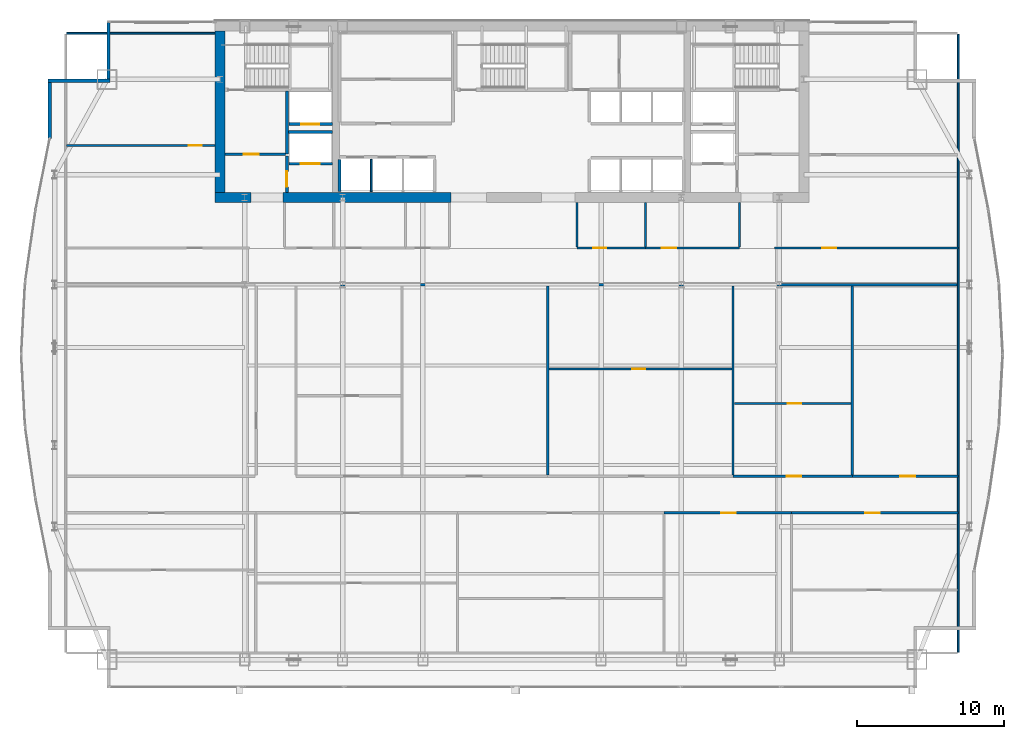
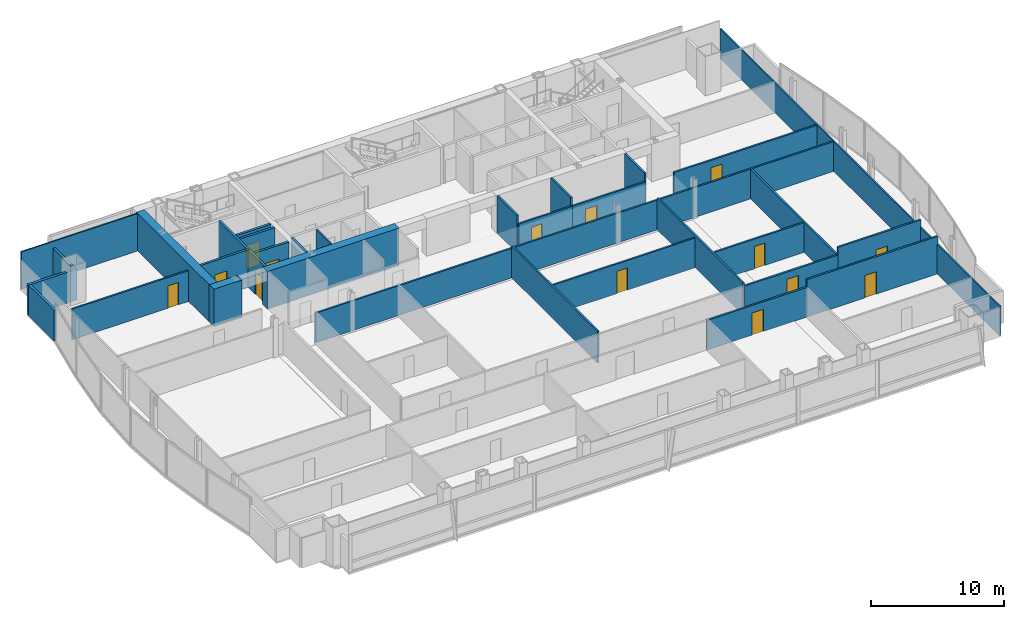
# One storey, part 25 of 29: 33 walls, 14 doors, 14 openings.
"""IFC4 building model written with IfcOpenShell, lengths in metres."""

from ifc_helpers import new_model, si_unit, direction, frame, frame_2d, origin, place, context, subcontext, project, spatial, rectangle, extrude, material, layer, layer_set, type_object, element, fill, save


model = new_model("IFC4")

# Units and contexts
model_context = context("Model", 3, precision=1e-05, world=origin(), true_north=direction((0.0, 1.0)))
body_context = subcontext(model_context, "Body", "Model", "MODEL_VIEW")
ifc_project = project(units=[si_unit("LENGTHUNIT", "METRE"), si_unit("AREAUNIT", "SQUARE_METRE"), si_unit("VOLUMEUNIT", "CUBIC_METRE"), si_unit("PLANEANGLEUNIT", "RADIAN"), si_unit("MASSUNIT", "GRAM", prefix="KILO")], contexts=[model_context])

# Site, building, storey
site_placement = place(None, origin())
site = spatial("IfcSite", under=ifc_project, at=site_placement, CompositionType="ELEMENT")
building_placement = place(site_placement, origin())
building = spatial("IfcBuilding", under=site, at=building_placement, Name="Khoronbel Lancet Exchange", CompositionType="ELEMENT")
storey_placement = place(building_placement, frame((0.0, 0.0, 154.199951171875)))
storey = spatial("IfcBuildingStorey", under=building, at=storey_placement, Name="L38", CompositionType="ELEMENT", Elevation=154.199951171875)

# Walls
ifc_material_1 = material(Name="Concrete C80/95", Category="concrete")
ifc_layer_1 = layer(ifc_material_1, 0.699951171875, Name="Concrete C80/95")
ifc_layer_set_1 = layer_set([ifc_layer_1], Name="Concrete C80/95")
wall_type_1 = type_object("IfcWallType", Name="WL-CW2", PredefinedType="SHEAR", material=ifc_layer_set_1)
wall_1_placement = place(storey_placement, frame((16.550048828125, 42.0, 0.0), z_axis=(0.0, 0.0, 1.0), x_axis=(0.0, 1.0, 0.0)))
element("IfcWall", 1, at=wall_1_placement, inside=storey, type_object=wall_type_1, Name="Level L38 rear core west shear wall", PredefinedType="SHEAR", context=body_context, shape_type="SweptSolid", body=[
    extrude(rectangle(XDim=11.0, YDim=0.699951171875, at=frame_2d((5.5, 0.0))), origin(), (0.0, 0.0, 1.0), 3.43994140625),
])
wall_2_placement = place(storey_placement, frame((18.64990234375, 41.64990234375, 0.0), z_axis=(0.0, 0.0, 1.0), x_axis=(-1.0, 0.0, 0.0)))
element("IfcWall", 2, at=wall_2_placement, inside=storey, type_object=wall_type_1, Name="Level L38 rear core south shear wall pier P1", PredefinedType="SHEAR", context=body_context, shape_type="SweptSolid", body=[
    extrude(rectangle(XDim=2.449951171875, YDim=0.699951171875, at=frame_2d((1.22509765625, 0.0))), origin(), (0.0, 0.0, 1.0), 3.43994140625),
])
wall_3_placement = place(storey_placement, frame((32.300048828125, 41.64990234375, 0.0), z_axis=(0.0, 0.0, 1.0), x_axis=(-1.0, 0.0, 0.0)))
element("IfcWall", 3, at=wall_3_placement, inside=storey, type_object=wall_type_1, Name="Level L38 rear core south shear wall pier P2", PredefinedType="SHEAR", context=body_context, shape_type="SweptSolid", body=[
    extrude(rectangle(XDim=11.449951171875, YDim=0.699951171875, at=frame_2d((5.72509765625, 0.0))), origin(), (0.0, 0.0, 1.0), 3.43994140625),
])
ifc_material_2 = material(Name="Precast concrete C40/50", Category="concrete")
ifc_layer_2 = layer(ifc_material_2, 0.25, Name="Precast concrete C40/50")
ifc_layer_set_2 = layer_set([ifc_layer_2], Name="Precast concrete C40/50")
wall_type_2 = type_object("IfcWallType", Name="WL-EXT250", PredefinedType="SOLIDWALL", material=ifc_layer_set_2)
wall_4_placement = place(storey_placement, frame((4.93994140625, 45.671142578125, 0.0), z_axis=(0.0, 0.0, 1.0), x_axis=(0.0, 1.0, 0.0)))
element("IfcWall", 4, at=wall_4_placement, inside=storey, type_object=wall_type_2, Name="Level L38 notched-corner limestone pier 10", PredefinedType="SOLIDWALL", context=body_context, shape_type="SweptSolid", body=[
    extrude(rectangle(XDim=3.828857421875, YDim=0.219970703125, at=frame_2d((1.91455078125, 0.0))), origin(), (0.0, 0.0, 1.0), 2.830078125),
])
wall_5_placement = place(storey_placement, frame((4.830078125, 49.610107421875, 0.0), z_axis=(0.0, 0.0, 1.0), x_axis=(1.0, 0.0, 0.0)))
element("IfcWall", 5, at=wall_5_placement, inside=storey, type_object=wall_type_2, Name="Level L38 notched-corner limestone pier 11", PredefinedType="SOLIDWALL", context=body_context, shape_type="SweptSolid", body=[
    extrude(rectangle(XDim=4.219970703125, YDim=0.219970703125, at=frame_2d((2.10986328125, 0.0))), origin(), (0.0, 0.0, 1.0), 2.830078125),
])
wall_6_placement = place(storey_placement, frame((8.93994140625, 49.719970703125, 0.0), z_axis=(0.0, 0.0, 1.0), x_axis=(0.0, 1.0, 0.0)))
element("IfcWall", 6, at=wall_6_placement, inside=storey, type_object=wall_type_2, Name="Level L38 notched-corner limestone pier 12", PredefinedType="SOLIDWALL", context=body_context, shape_type="SweptSolid", body=[
    extrude(rectangle(XDim=3.909912109375, YDim=0.219970703125, at=frame_2d((1.955078125, 0.0))), origin(), (0.0, 0.0, 1.0), 2.830078125),
])
ifc_material_3 = material(Name="Acoustic Metal-Stud & Mineral-Wool Gypsum Partition 120 mm", Category="gypsum")
ifc_layer_3 = layer(ifc_material_3, 0.1201171875, Name="Acoustic Metal-Stud & Mineral-Wool Gypsum Partition 120 mm")
ifc_layer_set_3 = layer_set([ifc_layer_3], Name="Acoustic Metal-Stud & Mineral-Wool Gypsum Partition 120 mm")
wall_type_3 = type_object("IfcWallType", Name="WL-PRT120", PredefinedType="PARTITIONING", material=ifc_layer_set_3)
for number, where, z_axis, x_axis, name in (
    (7, (40.8798828125, 38.280029296875, 0.0), (0.0, 0.0, 1.0), (0.0, 1.0, 0.0), "Level L38 interior partition PW-NP-0"),
    (8, (45.550048828125, 38.280029296875, 0.0), (0.0, 0.0, 1.0), (0.0, 1.0, 0.0), "Level L38 interior partition PW-NP-M"),
    (9, (51.949951171875, 38.280029296875, 0.0), (0.0, 0.0, 1.0), (0.0, 1.0, 0.0), "Level L38 interior partition PW-NP-1"),
):
    element("IfcWall", number, at=place(storey_placement, frame(where, z_axis=z_axis, x_axis=x_axis)), inside=storey, type_object=wall_type_3, Name=name, PredefinedType="PARTITIONING", context=body_context, shape_type="SweptSolid", body=[
        extrude(rectangle(XDim=3.02001953125, YDim=0.14990234375, at=frame_2d((1.510009765625, 0.0))), origin(), (0.0, 0.0, 1.0), 3.43994140625),
    ])

# Wall, opening, door
wall_7_placement = place(storey_placement, frame((6.094970703125, 45.199951171875, 0.0), z_axis=(0.0, 0.0, 1.0), x_axis=(1.0, 0.0, 0.0)))
wall_7 = element("IfcWall", 10, at=wall_7_placement, inside=storey, type_object=wall_type_3, Name="Level L38 interior partition PW-NW-H", PredefinedType="PARTITIONING", context=body_context, shape_type="SweptSolid", body=[
    extrude(rectangle(XDim=10.10498046875, YDim=0.14990234375, at=frame_2d((5.052490234375, 0.0))), origin(), (0.0, 0.0, 1.0), 2.830078125),
])
opening_1_placement = place(wall_7_placement, frame((8.320068359375, 0.0, 0.0)))
opening_1 = element("IfcOpeningElement", 11, at=opening_1_placement, cuts=wall_7, Name="Opening D5", PredefinedType="OPENING", context=body_context, shape_type="SweptSolid", body=[
    extrude(rectangle(XDim=0.89990234375, YDim=2.050048828125, at=frame_2d((0.449951171875, 1.02490234375))), frame((0.0, 0.0849609375, 0.0), z_axis=(0.0, -1.0, 0.0), x_axis=(1.0, 0.0, 0.0)), (0.0, 0.0, 1.0), 0.169921875),
])
ifc_material_4 = material(Name="Acoustic Timber Pantry & Support Door", Category="wood")
door_type_1 = type_object("IfcDoorType", Name="DR-D5", OperationType="NOTDEFINED", PredefinedType="DOOR", material=ifc_material_4)
door_1_placement = place(opening_1_placement, origin())
door_1 = element("IfcDoor", 12, at=door_1_placement, inside=storey, type_object=door_type_1, Name="NW north room door L38-1", OperationType="SINGLE_SWING_RIGHT", OverallHeight=2.050048828125, OverallWidth=0.89990234375, PredefinedType="DOOR", context=body_context, shape_type="SweptSolid", body=[
    extrude(rectangle(XDim=0.89990234375, YDim=2.050048828125, at=frame_2d((0.449951171875, 1.02490234375))), frame((0.0, 0.02490234375, 0.0), z_axis=(0.0, -1.0, 0.0), x_axis=(1.0, 0.0, 0.0)), (0.0, 0.0, 1.0), 0.050048828125),
])
fill(opening_1, door_1)

wall_8_placement = place(storey_placement, frame((38.963134765625, 29.9580078125, 0.0), z_axis=(0.0, 0.0, 1.0), x_axis=(1.0, 0.0, 0.0)))
wall_8 = element("IfcWall", 13, at=wall_8_placement, inside=storey, type_object=wall_type_3, Name="Level L38 interior partition PW-Z2N-H3", PredefinedType="PARTITIONING", context=body_context, shape_type="SweptSolid", body=[
    extrude(rectangle(XDim=12.479248046875, YDim=0.14990234375, at=frame_2d((6.23974609375, 0.0))), origin(), (0.0, 0.0, 1.0), 2.72998046875),
])
opening_2_placement = place(wall_8_placement, frame((5.6875, 0.0, 0.0)))
opening_2 = element("IfcOpeningElement", 14, at=opening_2_placement, cuts=wall_8, Name="Opening D5", PredefinedType="OPENING", context=body_context, shape_type="SweptSolid", body=[
    extrude(rectangle(XDim=0.89990234375, YDim=2.050048828125, at=frame_2d((0.449951171875, 1.02490234375))), frame((0.0, 0.0849609375, 0.0), z_axis=(0.0, -1.0, 0.0), x_axis=(1.0, 0.0, 0.0)), (0.0, 0.0, 1.0), 0.169921875),
])
door_2_placement = place(opening_2_placement, origin())
door_2 = element("IfcDoor", 15, at=door_2_placement, inside=storey, type_object=door_type_1, Name="Z2N inner door 3 L38-1", OperationType="SINGLE_SWING_LEFT", OverallHeight=2.050048828125, OverallWidth=0.89990234375, PredefinedType="DOOR", context=body_context, shape_type="SweptSolid", body=[
    extrude(rectangle(XDim=0.89990234375, YDim=2.050048828125, at=frame_2d((0.449951171875, 1.02490234375))), frame((0.0, 0.02490234375, 0.0), z_axis=(0.0, -1.0, 0.0), x_axis=(1.0, 0.0, 0.0)), (0.0, 0.0, 1.0), 0.050048828125),
])
fill(opening_2, door_2)

wall_9_placement = place(storey_placement, frame((51.602294921875, 27.60888671875, 0.0), z_axis=(0.0, 0.0, 1.0), x_axis=(1.0, 0.0, 0.0)))
wall_9 = element("IfcWall", 16, at=wall_9_placement, inside=storey, type_object=wall_type_3, Name="Level L38 interior partition PW-Z2N-H4", PredefinedType="PARTITIONING", context=body_context, shape_type="SweptSolid", body=[
    extrude(rectangle(XDim=7.96533203125, YDim=0.14990234375, at=frame_2d((3.982666015625, 0.0))), origin(), (0.0, 0.0, 1.0), 2.72998046875),
])
opening_3_placement = place(wall_9_placement, frame((3.65625, 0.0, 0.0)))
opening_3 = element("IfcOpeningElement", 17, at=opening_3_placement, cuts=wall_9, Name="Opening D5", PredefinedType="OPENING", context=body_context, shape_type="SweptSolid", body=[
    extrude(rectangle(XDim=0.89990234375, YDim=2.050048828125, at=frame_2d((0.449951171875, 1.02490234375))), frame((0.0, 0.0849609375, 0.0), z_axis=(0.0, -1.0, 0.0), x_axis=(1.0, 0.0, 0.0)), (0.0, 0.0, 1.0), 0.169921875),
])
door_3_placement = place(opening_3_placement, origin())
door_3 = element("IfcDoor", 18, at=door_3_placement, inside=storey, type_object=door_type_1, Name="Z2N inner door 4 L38-1", OperationType="SINGLE_SWING_LEFT", OverallHeight=2.050048828125, OverallWidth=0.89990234375, PredefinedType="DOOR", context=body_context, shape_type="SweptSolid", body=[
    extrude(rectangle(XDim=0.89990234375, YDim=2.050048828125, at=frame_2d((0.449951171875, 1.02490234375))), frame((0.0, 0.02490234375, 0.0), z_axis=(0.0, -1.0, 0.0), x_axis=(1.0, 0.0, 0.0)), (0.0, 0.0, 1.0), 0.050048828125),
])
fill(opening_3, door_3)

# Walls
wall_10_placement = place(storey_placement, frame((66.8701171875, 10.6650390625, 0.0), z_axis=(0.0, 0.0, 1.0), x_axis=(0.0, 1.0, 0.0)))
element("IfcWall", 19, at=wall_10_placement, inside=storey, type_object=wall_type_3, Name="Level L38 interior partition PW-LIN-E", PredefinedType="PARTITIONING", context=body_context, shape_type="SweptSolid", body=[
    extrude(rectangle(XDim=42.10986328125, YDim=0.1201171875, at=frame_2d((21.054931640625, 0.0))), origin(), (0.0, 0.0, 1.0), 2.72998046875),
])
wall_11_placement = place(storey_placement, frame((6.094970703125, 52.840087890625, 0.0), z_axis=(0.0, 0.0, 1.0), x_axis=(1.0, 0.0, 0.0)))
element("IfcWall", 20, at=wall_11_placement, inside=storey, type_object=wall_type_3, Name="Level L38 interior partition PW-LIN-NW", PredefinedType="PARTITIONING", context=body_context, shape_type="SweptSolid", body=[
    extrude(rectangle(XDim=10.10498046875, YDim=0.1201171875, at=frame_2d((5.052490234375, 0.0))), origin(), (0.0, 0.0, 1.0), 3.43994140625),
])
ifc_material_5 = material(Name="Fire-Rated Metal-Stud & Mineral-Wool Gypsum Partition 120 mm", Category="gypsum")
ifc_layer_4 = layer(ifc_material_5, 0.1201171875, Name="Fire-Rated Metal-Stud & Mineral-Wool Gypsum Partition 120 mm")
ifc_layer_set_4 = layer_set([ifc_layer_4], Name="Fire-Rated Metal-Stud & Mineral-Wool Gypsum Partition 120 mm")
wall_type_4 = type_object("IfcWallType", Name="WL-PRT120F", PredefinedType="PARTITIONING", material=ifc_layer_set_4)
wall_12_placement = place(storey_placement, frame((26.860107421875, 42.050048828125, 0.0), z_axis=(0.0, 0.0, 1.0), x_axis=(0.0, 1.0, 0.0)))
element("IfcWall", 21, at=wall_12_placement, inside=storey, type_object=wall_type_4, Name="Level L38 interior partition CW-PM-D1", PredefinedType="PARTITIONING", context=body_context, shape_type="SweptSolid", body=[
    extrude(rectangle(XDim=2.199951171875, YDim=0.1201171875, at=frame_2d((1.10009765625, 0.0))), origin(), (0.0, 0.0, 1.0), 3.43994140625),
])

# Wall, opening, door
ifc_material_6 = material(Name="Fire-Rated Twin-Stud Acoustic Gypsum Partition 150 mm", Category="gypsum")
ifc_layer_5 = layer(ifc_material_6, 0.14990234375, Name="Fire-Rated Twin-Stud Acoustic Gypsum Partition 150 mm")
ifc_layer_set_5 = layer_set([ifc_layer_5], Name="Fire-Rated Twin-Stud Acoustic Gypsum Partition 150 mm")
wall_type_5 = type_object("IfcWallType", Name="WL-PRT150C", PredefinedType="PARTITIONING", material=ifc_layer_set_5)
wall_13_placement = place(storey_placement, frame((40.8798828125, 38.199951171875, 0.0), z_axis=(0.0, 0.0, 1.0), x_axis=(1.0, 0.0, 0.0)))
wall_13 = element("IfcWall", 22, at=wall_13_placement, inside=storey, type_object=wall_type_5, Name="Level L38 interior partition PW-NP-S1", PredefinedType="PARTITIONING", context=body_context, shape_type="SweptSolid", body=[
    extrude(rectangle(XDim=4.670166015625, YDim=0.14990234375, at=frame_2d((2.3349609375, 0.0))), origin(), (0.0, 0.0, 1.0), 2.72998046875),
])
opening_4_placement = place(wall_13_placement, frame((1.10009765625, 0.0, 0.0)))
opening_4 = element("IfcOpeningElement", 23, at=opening_4_placement, cuts=wall_13, Name="Opening D5", PredefinedType="OPENING", context=body_context, shape_type="SweptSolid", body=[
    extrude(rectangle(XDim=0.89990234375, YDim=2.050048828125, at=frame_2d((0.449951171875, 1.02490234375))), frame((0.0, 0.0849609375, 0.0), z_axis=(0.0, -1.0, 0.0), x_axis=(1.0, 0.0, 0.0)), (0.0, 0.0, 1.0), 0.169921875),
])
door_4_placement = place(opening_4_placement, origin())
door_4 = element("IfcDoor", 24, at=door_4_placement, inside=storey, type_object=door_type_1, Name="Floor refreshment pantry door L38-1", OperationType="SINGLE_SWING_RIGHT", OverallHeight=2.050048828125, OverallWidth=0.89990234375, PredefinedType="DOOR", context=body_context, shape_type="SweptSolid", body=[
    extrude(rectangle(XDim=0.89990234375, YDim=2.050048828125, at=frame_2d((0.449951171875, 1.02490234375))), frame((0.0, 0.02490234375, 0.0), z_axis=(0.0, -1.0, 0.0), x_axis=(1.0, 0.0, 0.0)), (0.0, 0.0, 1.0), 0.050048828125),
])
fill(opening_4, door_4)

wall_14_placement = place(storey_placement, frame((45.550048828125, 38.199951171875, 0.0), z_axis=(0.0, 0.0, 1.0), x_axis=(1.0, 0.0, 0.0)))
wall_14 = element("IfcWall", 25, at=wall_14_placement, inside=storey, type_object=wall_type_5, Name="Level L38 interior partition PW-NP-S2", PredefinedType="PARTITIONING", context=body_context, shape_type="SweptSolid", body=[
    extrude(rectangle(XDim=6.39990234375, YDim=0.14990234375, at=frame_2d((3.199951171875, 0.0))), origin(), (0.0, 0.0, 1.0), 2.72998046875),
])
opening_5_placement = place(wall_14_placement, frame((1.10009765625, 0.0, 0.0)))
opening_5 = element("IfcOpeningElement", 26, at=opening_5_placement, cuts=wall_14, Name="Opening D2", PredefinedType="OPENING", context=body_context, shape_type="SweptSolid", body=[
    extrude(rectangle(XDim=1.0, YDim=2.050048828125, at=frame_2d((0.5, 1.02490234375))), frame((0.0, 0.0849609375, 0.0), z_axis=(0.0, -1.0, 0.0), x_axis=(1.0, 0.0, 0.0)), (0.0, 0.0, 1.0), 0.169921875),
])
ifc_material_7 = material(Name="Acoustic Veneered Timber & Bronze Frame Door", Category="wood")
door_type_2 = type_object("IfcDoorType", Name="DR-D2", OperationType="NOTDEFINED", PredefinedType="DOOR", material=ifc_material_7)
door_5_placement = place(opening_5_placement, origin())
door_5 = element("IfcDoor", 27, at=door_5_placement, inside=storey, type_object=door_type_2, Name="Floor store door L38-1", OperationType="SINGLE_SWING_LEFT", OverallHeight=2.050048828125, OverallWidth=1.0, PredefinedType="DOOR", context=body_context, shape_type="SweptSolid", body=[
    extrude(rectangle(XDim=1.0, YDim=2.050048828125, at=frame_2d((0.5, 1.02490234375))), frame((0.0, 0.02490234375, 0.0), z_axis=(0.0, -1.0, 0.0), x_axis=(1.0, 0.0, 0.0)), (0.0, 0.0, 1.0), 0.050048828125),
])
fill(opening_5, door_5)

wall_15_placement = place(storey_placement, frame((54.35009765625, 38.199951171875, 0.0), z_axis=(0.0, 0.0, 1.0), x_axis=(1.0, 0.0, 0.0)))
wall_15 = element("IfcWall", 28, at=wall_15_placement, inside=storey, type_object=wall_type_5, Name="Level L38 interior partition PW-NE-S", PredefinedType="PARTITIONING", context=body_context, shape_type="SweptSolid", body=[
    extrude(rectangle(XDim=12.52001953125, YDim=0.14990234375, at=frame_2d((6.260009765625, 0.0))), origin(), (0.0, 0.0, 1.0), 2.72998046875),
])
opening_6_placement = place(wall_15_placement, frame((3.25, 0.0, 0.0)))
opening_6 = element("IfcOpeningElement", 29, at=opening_6_placement, cuts=wall_15, Name="Opening D1", PredefinedType="OPENING", context=body_context, shape_type="SweptSolid", body=[
    extrude(rectangle(XDim=0.949951171875, YDim=2.050048828125, at=frame_2d((0.47509765625, 1.02490234375))), frame((0.0, 0.0849609375, 0.0), z_axis=(0.0, -1.0, 0.0), x_axis=(1.0, 0.0, 0.0)), (0.0, 0.0, 1.0), 0.169921875),
])
door_type_3 = type_object("IfcDoorType", Name="DR-D1", OperationType="NOTDEFINED", PredefinedType="DOOR", material=ifc_material_7)
door_6_placement = place(opening_6_placement, origin())
door_6 = element("IfcDoor", 30, at=door_6_placement, inside=storey, type_object=door_type_3, Name="NE corner room door L38-1", OperationType="SINGLE_SWING_LEFT", OverallHeight=2.050048828125, OverallWidth=0.949951171875, PredefinedType="DOOR", context=body_context, shape_type="SweptSolid", body=[
    extrude(rectangle(XDim=0.949951171875, YDim=2.050048828125, at=frame_2d((0.47509765625, 1.02490234375))), frame((0.0, 0.02490234375, 0.0), z_axis=(0.0, -1.0, 0.0), x_axis=(1.0, 0.0, 0.0)), (0.0, 0.0, 1.0), 0.050048828125),
])
fill(opening_6, door_6)

# Walls
wall_16_placement = place(storey_placement, frame((21.81005859375, 35.699951171875, 0.0), z_axis=(0.0, 0.0, 1.0), x_axis=(1.0, 0.0, 0.0)))
element("IfcWall", 31, at=wall_16_placement, inside=storey, type_object=wall_type_5, Name="Level L38 interior partition PW-Z2-EN", PredefinedType="PARTITIONING", context=body_context, shape_type="SweptSolid", body=[
    extrude(rectangle(XDim=44.994873046875, YDim=0.14990234375, at=frame_2d((22.49755859375, 0.0))), origin(), (0.0, 0.0, 1.0), 2.72998046875),
])
for number, where, z_axis, x_axis, name in (
    (32, (38.88330078125, 22.735107421875, 0.0), (0.0, 0.0, 1.0), (0.0, 1.0, 0.0), "Level L38 interior partition PW-Z2N-V2"),
    (33, (51.5224609375, 22.735107421875, 0.0), (0.0, 0.0, 1.0), (0.0, 1.0, 0.0), "Level L38 interior partition PW-Z2N-V3"),
):
    element("IfcWall", number, at=place(storey_placement, frame(where, z_axis=z_axis, x_axis=x_axis)), inside=storey, type_object=wall_type_5, Name=name, PredefinedType="PARTITIONING", context=body_context, shape_type="SweptSolid", body=[
        extrude(rectangle(XDim=12.885009765625, YDim=0.14990234375, at=frame_2d((6.4423828125, 0.0))), origin(), (0.0, 0.0, 1.0), 2.929931640625),
    ])
wall_17_placement = place(storey_placement, frame((59.647705078125, 22.735107421875, 0.0), z_axis=(0.0, 0.0, 1.0), x_axis=(0.0, 1.0, 0.0)))
element("IfcWall", 34, at=wall_17_placement, inside=storey, type_object=wall_type_5, Name="Level L38 interior partition PW-Z2N-V4", PredefinedType="PARTITIONING", context=body_context, shape_type="SweptSolid", body=[
    extrude(rectangle(XDim=12.885009765625, YDim=0.14990234375, at=frame_2d((6.4423828125, 0.0))), origin(), (0.0, 0.0, 1.0), 2.72998046875),
])

# Wall, opening, door
ifc_material_8 = material(Name="Fire-Rated Twin-Stud Acoustic Gypsum Partition 160 mm", Category="gypsum")
ifc_layer_6 = layer(ifc_material_8, 0.159912109375, Name="Fire-Rated Twin-Stud Acoustic Gypsum Partition 160 mm")
ifc_layer_set_6 = layer_set([ifc_layer_6], Name="Fire-Rated Twin-Stud Acoustic Gypsum Partition 160 mm")
wall_type_6 = type_object("IfcWallType", Name="WL-PRT160C", PredefinedType="PARTITIONING", material=ifc_layer_set_6)
wall_18_placement = place(storey_placement, frame((46.8173828125, 20.14990234375, 0.0), z_axis=(0.0, 0.0, 1.0), x_axis=(1.0, 0.0, 0.0)))
wall_18 = element("IfcWall", 35, at=wall_18_placement, inside=storey, type_object=wall_type_6, Name="Level L38 interior partition PW-Z2S-COR4", PredefinedType="PARTITIONING", context=body_context, shape_type="SweptSolid", body=[
    extrude(rectangle(XDim=8.687744140625, YDim=0.159912109375, at=frame_2d((4.34375, 0.0))), origin(), (0.0, 0.0, 1.0), 2.72998046875),
])
opening_7_placement = place(wall_18_placement, frame((3.89892578125, 0.0, 0.0)))
opening_7 = element("IfcOpeningElement", 36, at=opening_7_placement, cuts=wall_18, Name="Opening D2", PredefinedType="OPENING", context=body_context, shape_type="SweptSolid", body=[
    extrude(rectangle(XDim=1.0, YDim=2.050048828125, at=frame_2d((0.5, 1.02490234375))), frame((0.0, 0.08984375, 0.0), z_axis=(0.0, -1.0, 0.0), x_axis=(1.0, 0.0, 0.0)), (0.0, 0.0, 1.0), 0.179931640625),
])
door_7_placement = place(opening_7_placement, origin())
door_7 = element("IfcDoor", 37, at=door_7_placement, inside=storey, type_object=door_type_2, Name="Z2S bay 4 door L38-1", OperationType="SINGLE_SWING_LEFT", OverallHeight=2.050048828125, OverallWidth=1.0, PredefinedType="DOOR", context=body_context, shape_type="SweptSolid", body=[
    extrude(rectangle(XDim=1.0, YDim=2.050048828125, at=frame_2d((0.5, 1.02490234375))), frame((0.0, 0.02490234375, 0.0), z_axis=(0.0, -1.0, 0.0), x_axis=(1.0, 0.0, 0.0)), (0.0, 0.0, 1.0), 0.050048828125),
])
fill(opening_7, door_7)

wall_19_placement = place(storey_placement, frame((55.505126953125, 20.14990234375, 0.0), z_axis=(0.0, 0.0, 1.0), x_axis=(1.0, 0.0, 0.0)))
wall_19 = element("IfcWall", 38, at=wall_19_placement, inside=storey, type_object=wall_type_6, Name="Level L38 interior partition PW-Z2S-COR5", PredefinedType="PARTITIONING", context=body_context, shape_type="SweptSolid", body=[
    extrude(rectangle(XDim=11.364990234375, YDim=0.159912109375, at=frame_2d((5.6826171875, 0.0))), origin(), (0.0, 0.0, 1.0), 3.43994140625),
])
opening_8_placement = place(wall_19_placement, frame((5.023193359375, 0.0, 0.0)))
opening_8 = element("IfcOpeningElement", 39, at=opening_8_placement, cuts=wall_19, Name="Opening D2", PredefinedType="OPENING", context=body_context, shape_type="SweptSolid", body=[
    extrude(rectangle(XDim=1.0, YDim=2.050048828125, at=frame_2d((0.5, 1.02490234375))), frame((0.0, 0.08984375, 0.0), z_axis=(0.0, -1.0, 0.0), x_axis=(1.0, 0.0, 0.0)), (0.0, 0.0, 1.0), 0.179931640625),
])
door_8_placement = place(opening_8_placement, origin())
door_8 = element("IfcDoor", 40, at=door_8_placement, inside=storey, type_object=door_type_2, Name="Z2S bay 5 door L38-1", OperationType="SINGLE_SWING_RIGHT", OverallHeight=2.050048828125, OverallWidth=1.0, PredefinedType="DOOR", context=body_context, shape_type="SweptSolid", body=[
    extrude(rectangle(XDim=1.0, YDim=2.050048828125, at=frame_2d((0.5, 1.02490234375))), frame((0.0, 0.02490234375, 0.0), z_axis=(0.0, -1.0, 0.0), x_axis=(1.0, 0.0, 0.0)), (0.0, 0.0, 1.0), 0.050048828125),
])
fill(opening_8, door_8)

wall_20_placement = place(storey_placement, frame((51.5224609375, 22.64990234375, 0.0), z_axis=(0.0, 0.0, 1.0), x_axis=(1.0, 0.0, 0.0)))
wall_20 = element("IfcWall", 41, at=wall_20_placement, inside=storey, type_object=wall_type_6, Name="Level L38 interior partition PW-Z2N-COR4", PredefinedType="PARTITIONING", context=body_context, shape_type="SweptSolid", body=[
    extrude(rectangle(XDim=8.125244140625, YDim=0.159912109375, at=frame_2d((4.0625, 0.0))), origin(), (0.0, 0.0, 1.0), 2.72998046875),
])
opening_9_placement = place(wall_20_placement, frame((3.66259765625, 0.0, 0.0)))
opening_9 = element("IfcOpeningElement", 42, at=opening_9_placement, cuts=wall_20, Name="Opening D2", PredefinedType="OPENING", context=body_context, shape_type="SweptSolid", body=[
    extrude(rectangle(XDim=1.0, YDim=2.050048828125, at=frame_2d((0.5, 1.02490234375))), frame((0.0, 0.08984375, 0.0), z_axis=(0.0, -1.0, 0.0), x_axis=(1.0, 0.0, 0.0)), (0.0, 0.0, 1.0), 0.179931640625),
])
door_9_placement = place(opening_9_placement, origin())
door_9 = element("IfcDoor", 43, at=door_9_placement, inside=storey, type_object=door_type_2, Name="Z2N bay 4 door L38-1", OperationType="SINGLE_SWING_RIGHT", OverallHeight=2.050048828125, OverallWidth=1.0, PredefinedType="DOOR", context=body_context, shape_type="SweptSolid", body=[
    extrude(rectangle(XDim=1.0, YDim=2.050048828125, at=frame_2d((0.5, 1.02490234375))), frame((0.0, 0.02490234375, 0.0), z_axis=(0.0, -1.0, 0.0), x_axis=(1.0, 0.0, 0.0)), (0.0, 0.0, 1.0), 0.050048828125),
])
fill(opening_9, door_9)

wall_21_placement = place(storey_placement, frame((59.647705078125, 22.64990234375, 0.0), z_axis=(0.0, 0.0, 1.0), x_axis=(1.0, 0.0, 0.0)))
wall_21 = element("IfcWall", 44, at=wall_21_placement, inside=storey, type_object=wall_type_6, Name="Level L38 interior partition PW-Z2N-COR5", PredefinedType="PARTITIONING", context=body_context, shape_type="SweptSolid", body=[
    extrude(rectangle(XDim=7.222412109375, YDim=0.159912109375, at=frame_2d((3.611328125, 0.0))), origin(), (0.0, 0.0, 1.0), 3.43994140625),
])
opening_10_placement = place(wall_21_placement, frame((3.283447265625, 0.0, 0.0)))
opening_10 = element("IfcOpeningElement", 45, at=opening_10_placement, cuts=wall_21, Name="Opening D2", PredefinedType="OPENING", context=body_context, shape_type="SweptSolid", body=[
    extrude(rectangle(XDim=1.0, YDim=2.050048828125, at=frame_2d((0.5, 1.02490234375))), frame((0.0, 0.08984375, 0.0), z_axis=(0.0, -1.0, 0.0), x_axis=(1.0, 0.0, 0.0)), (0.0, 0.0, 1.0), 0.179931640625),
])
door_10_placement = place(opening_10_placement, origin())
door_10 = element("IfcDoor", 46, at=door_10_placement, inside=storey, type_object=door_type_2, Name="Z2N bay 5 door L38-1", OperationType="SINGLE_SWING_RIGHT", OverallHeight=2.050048828125, OverallWidth=1.0, PredefinedType="DOOR", context=body_context, shape_type="SweptSolid", body=[
    extrude(rectangle(XDim=1.0, YDim=2.050048828125, at=frame_2d((0.5, 1.02490234375))), frame((0.0, 0.02490234375, 0.0), z_axis=(0.0, -1.0, 0.0), x_axis=(1.0, 0.0, 0.0)), (0.0, 0.0, 1.0), 0.050048828125),
])
fill(opening_10, door_10)

ifc_material_9 = material(Name="Autoclaved Aerated Concrete Blockwork 200 mm", Category="masonry")
ifc_layer_7 = layer(ifc_material_9, 0.199951171875, Name="Autoclaved Aerated Concrete Blockwork 200 mm")
ifc_layer_set_7 = layer_set([ifc_layer_7], Name="Autoclaved Aerated Concrete Blockwork 200 mm")
wall_type_7 = type_object("IfcWallType", Name="WL-PRT200", PredefinedType="PARTITIONING", material=ifc_layer_set_7)
wall_22_placement = place(storey_placement, frame((24.2099609375, 43.949951171875, 0.0), z_axis=(0.0, 0.0, 1.0), x_axis=(-1.0, 0.0, 0.0)))
wall_22 = element("IfcWall", 47, at=wall_22_placement, inside=storey, type_object=wall_type_7, Name="Level L38 elevator hoistway landing front wall SVLW", PredefinedType="PARTITIONING", context=body_context, shape_type="SweptSolid", body=[
    extrude(rectangle(XDim=2.969970703125, YDim=0.199951171875, at=frame_2d((1.48486328125, 0.0))), origin(), (0.0, 0.0, 1.0), 3.43994140625),
])
opening_11_placement = place(wall_22_placement, frame((0.860107421875, 0.0, 0.0)))
opening_11 = element("IfcOpeningElement", 48, at=opening_11_placement, cuts=wall_22, Name="Opening LD-SVL1", PredefinedType="OPENING", context=body_context, shape_type="SweptSolid", body=[
    extrude(rectangle(XDim=1.300048828125, YDim=2.179931640625, at=frame_2d((0.64990234375, 1.08984375))), frame((0.0, 0.10986328125, 0.0), z_axis=(0.0, -1.0, 0.0), x_axis=(1.0, 0.0, 0.0)), (0.0, 0.0, 1.0), 0.219970703125),
])
ifc_material_10 = material(Name="Heavy-Duty Bi-Parting Goods Lift Landing Door", Category="steel")
door_type_4 = type_object("IfcDoorType", Name="DR-LD-SVL", OperationType="NOTDEFINED", PredefinedType="DOOR", material=ifc_material_10)
door_11_placement = place(opening_11_placement, origin())
door_11 = element("IfcDoor", 49, at=door_11_placement, inside=storey, type_object=door_type_4, Name="Elevator landing sliding door LD-SVL1 L38", OperationType="SLIDING_TO_LEFT", OverallHeight=2.179931640625, OverallWidth=1.300048828125, PredefinedType="DOOR", context=body_context, shape_type="SweptSolid", body=[
    extrude(rectangle(XDim=1.300048828125, YDim=2.179931640625, at=frame_2d((0.64990234375, 1.08984375))), frame((0.0, 0.02490234375, 0.0), z_axis=(0.0, -1.0, 0.0), x_axis=(1.0, 0.0, 0.0)), (0.0, 0.0, 1.0), 0.050048828125),
])
fill(opening_11, door_11)

wall_23_placement = place(storey_placement, frame((24.2099609375, 46.64990234375, 0.0), z_axis=(0.0, 0.0, 1.0), x_axis=(-1.0, 0.0, 0.0)))
wall_23 = element("IfcWall", 50, at=wall_23_placement, inside=storey, type_object=wall_type_7, Name="Level L38 elevator hoistway landing front wall FFLW", PredefinedType="PARTITIONING", context=body_context, shape_type="SweptSolid", body=[
    extrude(rectangle(XDim=2.969970703125, YDim=0.199951171875, at=frame_2d((1.48486328125, 0.0))), origin(), (0.0, 0.0, 1.0), 3.43994140625),
])
opening_12_placement = place(wall_23_placement, frame((0.909912109375, 0.0, 0.0)))
opening_12 = element("IfcOpeningElement", 51, at=opening_12_placement, cuts=wall_23, Name="Opening LD-FFL1", PredefinedType="OPENING", context=body_context, shape_type="SweptSolid", body=[
    extrude(rectangle(XDim=1.199951171875, YDim=2.179931640625, at=frame_2d((0.60009765625, 1.08984375))), frame((0.0, 0.10986328125, 0.0), z_axis=(0.0, -1.0, 0.0), x_axis=(1.0, 0.0, 0.0)), (0.0, 0.0, 1.0), 0.219970703125),
])
ifc_material_11 = material(Name="Fire-Rated Stainless Bi-Parting Firefighting Lift Door", Category="steel")
door_type_5 = type_object("IfcDoorType", Name="DR-LD-FFL", OperationType="NOTDEFINED", PredefinedType="DOOR", material=ifc_material_11)
door_12_placement = place(opening_12_placement, origin())
door_12 = element("IfcDoor", 52, at=door_12_placement, inside=storey, type_object=door_type_5, Name="Elevator landing sliding door LD-FFL1 L38", OperationType="SLIDING_TO_LEFT", OverallHeight=2.179931640625, OverallWidth=1.199951171875, PredefinedType="DOOR", context=body_context, shape_type="SweptSolid", body=[
    extrude(rectangle(XDim=1.199951171875, YDim=2.179931640625, at=frame_2d((0.60009765625, 1.08984375))), frame((0.0, 0.02490234375, 0.0), z_axis=(0.0, -1.0, 0.0), x_axis=(1.0, 0.0, 0.0)), (0.0, 0.0, 1.0), 0.050048828125),
])
fill(opening_12, door_12)

# Wall
wall_24_placement = place(storey_placement, frame((21.10009765625, 44.60009765625, 0.0), z_axis=(0.0, 0.0, 1.0), x_axis=(0.0, 1.0, 0.0)))
element("IfcWall", 53, at=wall_24_placement, inside=storey, type_object=wall_type_7, Name="Level L38 interior partition CW-FFLW-E", PredefinedType="PARTITIONING", context=body_context, shape_type="SweptSolid", body=[
    extrude(rectangle(XDim=4.2998046875, YDim=0.199951171875, at=frame_2d((2.14990234375, 0.0))), origin(), (0.0, 0.0, 1.0), 3.43994140625),
])

# Wall, opening, door
wall_25_placement = place(storey_placement, frame((16.89990234375, 44.60009765625, 0.0), z_axis=(0.0, 0.0, 1.0), x_axis=(1.0, 0.0, 0.0)))
wall_25 = element("IfcWall", 54, at=wall_25_placement, inside=storey, type_object=wall_type_7, Name="Level L38 interior partition CW-FFLW-S", PredefinedType="PARTITIONING", context=body_context, shape_type="SweptSolid", body=[
    extrude(rectangle(XDim=4.10009765625, YDim=0.199951171875, at=frame_2d((2.050048828125, 0.0))), origin(), (0.0, 0.0, 1.0), 3.43994140625),
])
opening_13_placement = place(wall_25_placement, frame((1.25, 0.0, 0.0)))
opening_13 = element("IfcOpeningElement", 55, at=opening_13_placement, cuts=wall_25, Name="Opening FD1", PredefinedType="OPENING", context=body_context, shape_type="SweptSolid", body=[
    extrude(rectangle(XDim=1.050048828125, YDim=2.14990234375, at=frame_2d((0.52490234375, 1.074951171875))), frame((0.0, 0.10986328125, 0.0), z_axis=(0.0, -1.0, 0.0), x_axis=(1.0, 0.0, 0.0)), (0.0, 0.0, 1.0), 0.219970703125),
])
ifc_material_12 = material(Name="Fire-Rated Painted Steel Door Assembly", Category="steel")
door_type_6 = type_object("IfcDoorType", Name="DR-FD1", OperationType="NOTDEFINED", PredefinedType="DOOR", material=ifc_material_12)
door_13_placement = place(opening_13_placement, origin())
door_13 = element("IfcDoor", 56, at=door_13_placement, inside=storey, type_object=door_type_6, Name="West firefighting lobby FD90S door L38-1", OperationType="SINGLE_SWING_LEFT", OverallHeight=2.14990234375, OverallWidth=1.050048828125, PredefinedType="DOOR", context=body_context, shape_type="SweptSolid", body=[
    extrude(rectangle(XDim=1.050048828125, YDim=2.14990234375, at=frame_2d((0.52490234375, 1.074951171875))), frame((0.0, 0.02490234375, 0.0), z_axis=(0.0, -1.0, 0.0), x_axis=(1.0, 0.0, 0.0)), (0.0, 0.0, 1.0), 0.050048828125),
])
fill(opening_13, door_13)

# Wall
wall_26_placement = place(storey_placement, frame((21.199951171875, 46.1201171875, 0.0), z_axis=(0.0, 0.0, 1.0), x_axis=(1.0, 0.0, 0.0)))
element("IfcWall", 57, at=wall_26_placement, inside=storey, type_object=wall_type_7, Name="Level L38 interior partition CW-FFL1-S", PredefinedType="PARTITIONING", context=body_context, shape_type="SweptSolid", body=[
    extrude(rectangle(XDim=3.02001953125, YDim=0.199951171875, at=frame_2d((1.510009765625, 0.0))), origin(), (0.0, 0.0, 1.0), 3.43994140625),
])

# Wall, opening, door
wall_27_placement = place(storey_placement, frame((21.10009765625, 42.0, 0.0), z_axis=(0.0, 0.0, 1.0), x_axis=(0.0, 1.0, 0.0)))
wall_27 = element("IfcWall", 58, at=wall_27_placement, inside=storey, type_object=wall_type_7, Name="Level L38 interior partition CW-SVLW-W", PredefinedType="PARTITIONING", context=body_context, shape_type="SweptSolid", body=[
    extrude(rectangle(XDim=2.4951171875, YDim=0.199951171875, at=frame_2d((1.24755859375, 0.0))), origin(), (0.0, 0.0, 1.0), 3.43994140625),
])
opening_14_placement = place(wall_27_placement, frame((0.3798828125, 0.0, 0.0)))
opening_14 = element("IfcOpeningElement", 59, at=opening_14_placement, cuts=wall_27, Name="Opening FD1", PredefinedType="OPENING", context=body_context, shape_type="SweptSolid", body=[
    extrude(rectangle(XDim=1.050048828125, YDim=2.14990234375, at=frame_2d((0.52490234375, 1.074951171875))), frame((0.0, 0.10986328125, 0.0), z_axis=(0.0, -1.0, 0.0), x_axis=(1.0, 0.0, 0.0)), (0.0, 0.0, 1.0), 0.219970703125),
])
door_14_placement = place(opening_14_placement, origin())
door_14 = element("IfcDoor", 60, at=door_14_placement, inside=storey, type_object=door_type_6, Name="West service lift lobby door L38-1", OperationType="SINGLE_SWING_RIGHT", OverallHeight=2.14990234375, OverallWidth=1.050048828125, PredefinedType="DOOR", context=body_context, shape_type="SweptSolid", body=[
    extrude(rectangle(XDim=1.050048828125, YDim=2.14990234375, at=frame_2d((0.52490234375, 1.074951171875))), frame((0.0, 0.02490234375, 0.0), z_axis=(0.0, -1.0, 0.0), x_axis=(1.0, 0.0, 0.0)), (0.0, 0.0, 1.0), 0.050048828125),
])
fill(opening_14, door_14)

# Wall
wall_28_placement = place(storey_placement, frame((24.699951171875, 42.050048828125, 0.0), z_axis=(0.0, 0.0, 1.0), x_axis=(0.0, 1.0, 0.0)))
element("IfcWall", 61, at=wall_28_placement, inside=storey, type_object=wall_type_7, Name="Level L38 interior partition CW-PM-W", PredefinedType="PARTITIONING", context=body_context, shape_type="SweptSolid", body=[
    extrude(rectangle(XDim=2.199951171875, YDim=0.199951171875, at=frame_2d((1.10009765625, 0.0))), origin(), (0.0, 0.0, 1.0), 3.43994140625),
])

save(model, "model.ifc")
